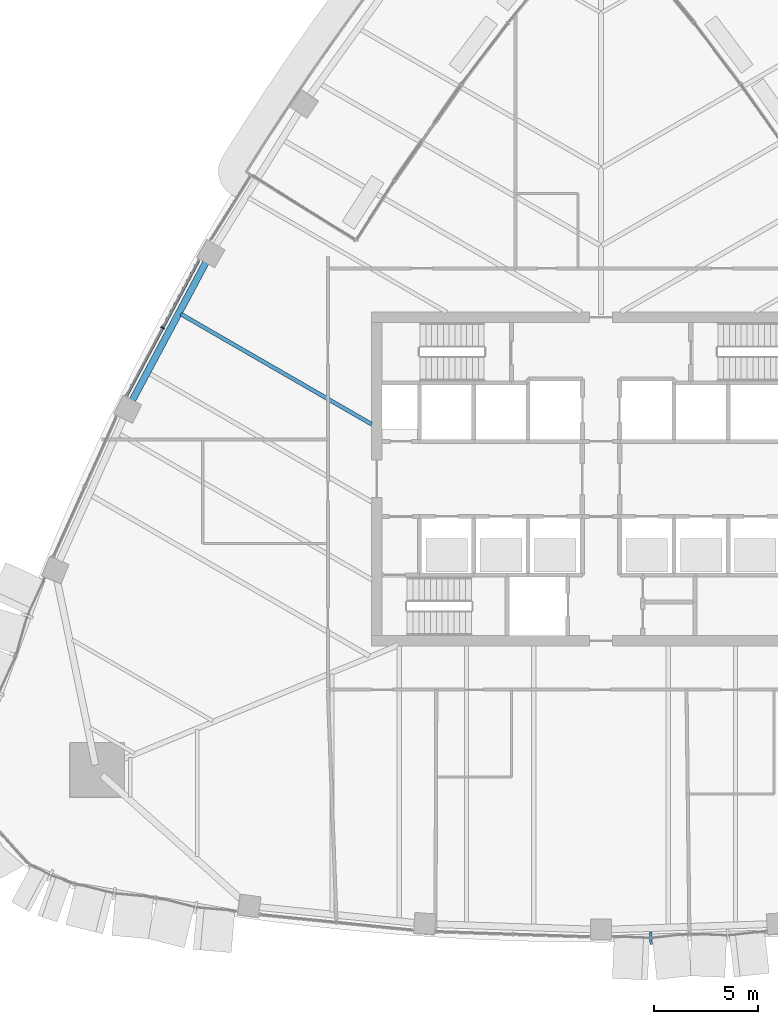
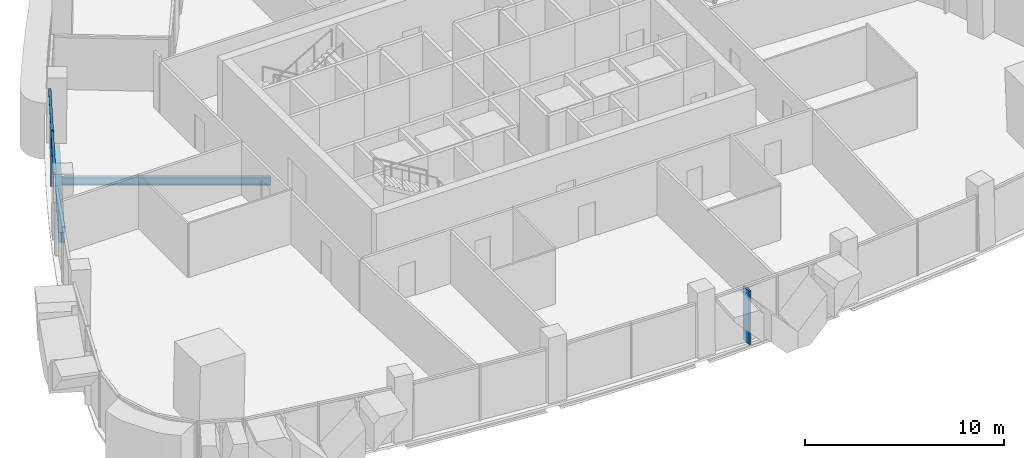
# One storey, part 3 of 21: 4 members, 2 beams, 2 elements without a shape of their own.
"""IFC4 building model written with IfcOpenShell, lengths in metres."""

import ifcopenshell
import ifcopenshell.guid

model = None  # the IFC model being written
_history = None  # IfcOwnerHistory: only IFC2X3 demands one
_inside = {}  # id of a spatial element -> (the spatial element, [elements in it])
_under = {}  # id of a project, library or spatial element -> (it, [spatial elements below it])
_declared = {}  # id of a project -> (the project, [libraries it declares])
_typed = {}  # id of a type object -> (the type object, [elements of that type])
_made_of = {}  # id of a material, layer set ... -> (it, [elements and type objects made of it])


def new_model(schema):
    """Start an empty IFC model of exactly this schema.

    Asked for "IFC4X3", IfcOpenShell would pick the latest addendum, in which some entities
    have other attributes; the version numbers below select the first issue.
    IFC2X3 requires an IfcOwnerHistory on every rooted entity: one is made here for all.
    """
    global model, _history
    if schema == "IFC4X3":
        model = ifcopenshell.file(schema_version=(4, 3, 0, 0))
    else:
        model = ifcopenshell.file(schema=schema)
    _inside.clear()
    _under.clear()
    _declared.clear()
    _typed.clear()
    _made_of.clear()
    _history = None
    if model.schema == "IFC2X3":
        org = make("IfcOrganization", Name="unknown")
        user = make(
            "IfcPersonAndOrganization",
            ThePerson=make("IfcPerson", FamilyName="unknown"),
            TheOrganization=org,
        )
        app = make(
            "IfcApplication",
            ApplicationDeveloper=org,
            Version="unknown",
            ApplicationFullName="unknown",
            ApplicationIdentifier="unknown",
        )
        _history = make(
            "IfcOwnerHistory",
            OwningUser=user,
            OwningApplication=app,
            ChangeAction="ADDED",
            CreationDate=0,
        )
    return model


def make(cls, **values):
    """One entity of the class cls with the attributes given. An attribute that is None is left unset."""
    return model.create_entity(
        cls, **{name: value for name, value in values.items() if value is not None}
    )


def rooted(cls, **values):
    """An entity with a GlobalId (a new one), such as an element, a storey or a relation."""
    return make(cls, GlobalId=ifcopenshell.guid.new(), OwnerHistory=_history, **values)


def si_unit(unit_type, name, prefix=None):
    """IfcSIUnit, for example si_unit("LENGTHUNIT", "METRE", prefix="MILLI")."""
    return make("IfcSIUnit", UnitType=unit_type, Prefix=prefix, Name=name)


def assignment(units):
    """IfcUnitAssignment: the units of a project."""
    return None if units is None else make("IfcUnitAssignment", Units=units)


def point(xyz):
    """IfcCartesianPoint."""
    return None if xyz is None else make("IfcCartesianPoint", Coordinates=xyz)


def direction(xyz):
    """IfcDirection."""
    return None if xyz is None else make("IfcDirection", DirectionRatios=xyz)


def frame(location, z_axis=None, x_axis=None):
    """IfcAxis2Placement3D, a coordinate frame: its origin and axes. An axis left out is left unset."""
    return make(
        "IfcAxis2Placement3D",
        Location=point(location),
        Axis=direction(z_axis),
        RefDirection=direction(x_axis),
    )


def frame_2d(location, x_axis=None):
    """IfcAxis2Placement2D, a coordinate frame in the plane: its origin and x axis."""
    return make(
        "IfcAxis2Placement2D", Location=point(location), RefDirection=direction(x_axis)
    )


def origin():
    """The frame at (0, 0, 0) with its axes left unset."""
    return frame((0.0, 0.0, 0.0))


def origin_2d():
    """The frame at (0, 0) in the plane with its x axis left unset."""
    return frame_2d((0.0, 0.0))


def place(relative_to, where):
    """IfcLocalPlacement: puts the frame where relative to a parent placement (None: the world)."""
    return make(
        "IfcLocalPlacement", PlacementRelTo=relative_to, RelativePlacement=where
    )


def context(
    kind, dimensions, precision=None, world=None, true_north=None, identifier=None
):
    """IfcGeometricRepresentationContext, for example the 3D "Model" context."""
    return make(
        "IfcGeometricRepresentationContext",
        ContextIdentifier=identifier,
        ContextType=kind,
        CoordinateSpaceDimension=dimensions,
        Precision=precision,
        WorldCoordinateSystem=world,
        TrueNorth=true_north,
    )


def subcontext(parent, identifier, kind, view, scale=None):
    """IfcGeometricRepresentationSubContext, for example "Body" below "Model"."""
    return make(
        "IfcGeometricRepresentationSubContext",
        ContextIdentifier=identifier,
        ContextType=kind,
        ParentContext=parent,
        TargetScale=scale,
        TargetView=view,
    )


def project(units=None, contexts=None):
    """IfcProject with its units and contexts."""
    return rooted(
        "IfcProject",
        Name="project",
        RepresentationContexts=contexts,
        UnitsInContext=assignment(units),
    )


def spatial(cls, under=None, at=None, **own):
    """A site, building, storey or space (cls), placed at a placement, below another one or the project."""
    s = rooted(cls, ObjectPlacement=at, **own)
    if under is not None:
        _under.setdefault(under.id(), (under, []))[1].append(s)
    return s


def profile(cls, at=None, kind="AREA", **sizes):
    """A parametric profile (cls). Its sizes go by their IFC names, for example OverallWidth=200.0."""
    return make(cls, ProfileType=kind, Position=at, **sizes)


def rectangle(**sizes):
    """IfcRectangleProfileDef."""
    return profile("IfcRectangleProfileDef", **sizes)


def i_section(**sizes):
    """IfcIShapeProfileDef."""
    return profile("IfcIShapeProfileDef", **sizes)


def extrude(swept, where, along, depth):
    """IfcExtrudedAreaSolid: the profile swept, set in the frame where, extruded along a direction by depth."""
    return make(
        "IfcExtrudedAreaSolid",
        SweptArea=swept,
        Position=where,
        ExtrudedDirection=direction(along),
        Depth=depth,
    )


def shape(context_of_items, identifier, shape_type, items):
    """IfcShapeRepresentation: the items that make up one representation, for example the "Body"."""
    return make(
        "IfcShapeRepresentation",
        ContextOfItems=context_of_items,
        RepresentationIdentifier=identifier,
        RepresentationType=shape_type,
        Items=items,
    )


def material(Name=None, Category=None):
    """IfcMaterial."""
    return make("IfcMaterial", Name=Name, Category=Category)


def layer(
    of_material, thickness, ventilated=None, Name=None, Category=None, Priority=None
):
    """IfcMaterialLayer: one layer of a wall or slab, of a material (None: an air gap)."""
    return make(
        "IfcMaterialLayer",
        Material=of_material,
        LayerThickness=thickness,
        IsVentilated=ventilated,
        Name=Name,
        Category=Category,
        Priority=Priority,
    )


def layer_set(layers, Name=None):
    """IfcMaterialLayerSet."""
    return make("IfcMaterialLayerSet", MaterialLayers=layers, LayerSetName=Name)


def material_profile(
    of_material, cross_section, Name=None, Category=None, Priority=None
):
    """IfcMaterialProfile: a cross section and its material."""
    return make(
        "IfcMaterialProfile",
        Name=Name,
        Material=of_material,
        Profile=cross_section,
        Priority=Priority,
        Category=Category,
    )


def profile_set(profiles, Name=None, composite=None):
    """IfcMaterialProfileSet."""
    return make(
        "IfcMaterialProfileSet",
        Name=Name,
        MaterialProfiles=profiles,
        CompositeProfile=composite,
    )


def made_of(thing, what):
    """Note that an element or type object is made of a material, layer set ...; save() writes the relation."""
    if what is not None:
        _made_of.setdefault(what.id(), (what, []))[1].append(thing)
    return thing


def type_object(cls, material=None, **own):
    """A type object (cls), such as IfcWallType, which elements share."""
    return made_of(rooted(cls, **own), material)


def element(
    cls,
    number,
    at=None,
    inside=None,
    cuts=None,
    type_object=None,
    material=None,
    context=None,
    identifier="Body",
    shape_type=None,
    held_by="IfcProductDefinitionShape",
    body=None,
    shapes=None,
    **own,
):
    """One element of the class cls, such as IfcWall. Its Tag is "e" and its number.

    at: its placement. inside: the storey or other place that contains it. cuts: it is an
    opening in that element (IfcRelVoidsElement). A single representation is given by context,
    identifier, shape_type and body (its items); several are given by shapes. held_by: the class
    of the entity that holds the representations. save() writes the other relations.
    """
    e = rooted(cls, Tag="e%d" % number, ObjectPlacement=at, **own)
    if body is not None:
        shapes = [shape(context, identifier, shape_type, body)]
    if shapes is not None:
        e.Representation = make(held_by, Representations=shapes)
    if inside is not None:
        _inside.setdefault(inside.id(), (inside, []))[1].append(e)
    if cuts is not None:
        rooted(
            "IfcRelVoidsElement", RelatingBuildingElement=cuts, RelatedOpeningElement=e
        )
    if type_object is not None:
        _typed.setdefault(type_object.id(), (type_object, []))[1].append(e)
    return made_of(e, material)


def aggregate(whole, parts):
    """IfcRelAggregates: a whole, such as a stair, and the parts it consists of."""
    return rooted("IfcRelAggregates", RelatingObject=whole, RelatedObjects=parts)


def save(model, path):
    """Write the relations noted so far, then the file.

    IfcRelAggregates (storeys below a building ...), IfcRelContainedInSpatialStructure (elements
    in a storey), IfcRelDefinesByType, IfcRelAssociatesMaterial and IfcRelDeclares: one each for
    every whole, place, type object, material and project.
    """
    for whole, parts in _under.values():
        aggregate(whole, parts)
    for where, things in _inside.values():
        rooted(
            "IfcRelContainedInSpatialStructure",
            RelatedElements=things,
            RelatingStructure=where,
        )
    for kind, things in _typed.values():
        rooted("IfcRelDefinesByType", RelatedObjects=things, RelatingType=kind)
    for what, things in _made_of.values():
        rooted("IfcRelAssociatesMaterial", RelatedObjects=things, RelatingMaterial=what)
    for by, libraries in _declared.values():
        rooted("IfcRelDeclares", RelatingContext=by, RelatedDefinitions=libraries)
    model.write(path)


model = new_model("IFC4")

# Units and contexts
model_context = context("Model", 3, precision=1e-05, world=origin(), true_north=direction((0.0, 1.0)))
body_context = subcontext(model_context, "Body", "Model", "MODEL_VIEW")
ifc_project = project(units=[si_unit("LENGTHUNIT", "METRE"), si_unit("AREAUNIT", "SQUARE_METRE"), si_unit("VOLUMEUNIT", "CUBIC_METRE"), si_unit("PLANEANGLEUNIT", "RADIAN"), si_unit("MASSUNIT", "GRAM", prefix="KILO")], contexts=[model_context])

# Site, building, storey
site_placement = place(None, origin())
site = spatial("IfcSite", under=ifc_project, at=site_placement, CompositionType="ELEMENT")
building_placement = place(site_placement, origin())
building = spatial("IfcBuilding", under=site, at=building_placement, Name="Sierra Prisma Convention Tower", CompositionType="ELEMENT")
storey_placement = place(building_placement, frame((0.0, 0.0, 157.800048828125)))
storey = spatial("IfcBuildingStorey", under=building, at=storey_placement, Name="L34", CompositionType="ELEMENT", Elevation=157.800048828125)

# Curtain wall, member
ifc_material_1 = material(Name="Aluminium and glass curtain wall", Category="aluminium")
ifc_layer_1 = layer(ifc_material_1, 0.179931640625)
ifc_layer_set_1 = layer_set([ifc_layer_1], Name="CW-2 Faceted crystal curtain wall")
curtain_wall_type_1 = type_object("IfcCurtainWallType", Name="CW-2 Faceted crystal curtain wall", PredefinedType="NOTDEFINED", material=ifc_layer_set_1)
curtain_wall_1_placement = place(storey_placement, origin())
curtain_wall_1 = element("IfcCurtainWall", 1, at=curtain_wall_1_placement, inside=storey, type_object=curtain_wall_type_1, Name="CW-2 S4 L34", PredefinedType="NOTDEFINED")
ifc_material_2 = material(Name="Aluminium 6063-T6 bronze anodised", Category="aluminium")
ifc_material_profile_1 = material_profile(ifc_material_2, rectangle(XDim=0.1201171875, YDim=0.60009765625, at=origin_2d()), Name="ALU RIDGE BLADE 120x600")
ifc_profile_set_1 = profile_set([ifc_material_profile_1], Name="Aluminium 6063-T6 bronze anodised")
member_type_1 = type_object("IfcMemberType", Name="CW hip bronze", PredefinedType="MULLION", material=ifc_profile_set_1)
member_1_placement = place(storey_placement, frame((2.390869140625, -22.03271484375, 0.0), z_axis=(0.0, 0.0, 1.0), x_axis=(0.999434157235, 0.033635774868, 0.0)))
member_1 = element("IfcMember", 2, at=member_1_placement, type_object=member_type_1, Name="CW-2 ridge S4.1", PredefinedType="MULLION", context=body_context, shape_type="SweptSolid", body=[
    extrude(rectangle(XDim=0.1201171875, YDim=0.60009765625, at=origin_2d()), origin(), (0.0, 0.0, 1.0), 3.280029296875),
])
aggregate(curtain_wall_1, [member_1])

# Curtain wall, members
ifc_material_3 = material(Name="Aluminium and glass curtain wall", Category="aluminium")
ifc_layer_2 = layer(ifc_material_3, 0.179931640625)
ifc_layer_set_2 = layer_set([ifc_layer_2], Name="CW-1 Plain shaft curtain wall")
curtain_wall_type_2 = type_object("IfcCurtainWallType", Name="CW-1 Plain shaft curtain wall", PredefinedType="NOTDEFINED", material=ifc_layer_set_2)
curtain_wall_2_placement = place(storey_placement, origin())
curtain_wall_2 = element("IfcCurtainWall", 3, at=curtain_wall_2_placement, inside=storey, type_object=curtain_wall_type_2, Name="CW-1 NW4 L34", PredefinedType="NOTDEFINED")
ifc_material_4 = material(Name="Aluminium 6063-T6 bronze anodised", Category="aluminium")
ifc_material_profile_2 = material_profile(ifc_material_4, rectangle(XDim=0.179931640625, YDim=0.070068359375, at=origin_2d()), Name="ALU MULLION 70x180")
ifc_profile_set_2 = profile_set([ifc_material_profile_2], Name="Aluminium 6063-T6 bronze anodised")
member_type_2 = type_object("IfcMemberType", Name="CW mullion bronze", PredefinedType="MULLION", material=ifc_profile_set_2)
member_2_placement = place(storey_placement, frame((-21.021728515625, 7.243896484375, 0.0), z_axis=(0.0, 0.0, 1.0), x_axis=(0.88235325701, -0.470587643106, 0.0)))
member_2 = element("IfcMember", 4, at=member_2_placement, type_object=member_type_2, Name="CW-1 mullion NW4.2", PredefinedType="MULLION", context=body_context, shape_type="SweptSolid", body=[
    extrude(rectangle(XDim=0.179931640625, YDim=0.070068359375, at=origin_2d()), origin(), (0.0, 0.0, 1.0), 3.39990234375),
])
ifc_material_5 = material(Name="Aluminium 6063-T6 bronze anodised", Category="aluminium")
ifc_material_profile_3 = material_profile(ifc_material_5, rectangle(XDim=0.139892578125, YDim=0.1201171875, at=origin_2d()), Name="ALU TRANSOM 120x140")
ifc_profile_set_3 = profile_set([ifc_material_profile_3], Name="Aluminium 6063-T6 bronze anodised")
member_type_3 = type_object("IfcMemberType", Name="CW transom bronze", PredefinedType="USERDEFINED", material=ifc_profile_set_3)
member_3_placement = place(storey_placement, frame((-19.294921875, 10.482177734375, 3.33984375), z_axis=(-0.470567318311, -0.882364096582, 0.0), x_axis=(0.882364096582, -0.470567318311, 0.0)))
member_3 = element("IfcMember", 5, at=member_3_placement, type_object=member_type_3, Name="CW-1 transom NW4.1", ObjectType="TRANSOM", PredefinedType="USERDEFINED", context=body_context, shape_type="SweptSolid", body=[
    extrude(rectangle(XDim=0.139892578125, YDim=0.1201171875, at=origin_2d()), origin(), (0.0, 0.0, 1.0), 3.634765625),
])
member_4_placement = place(storey_placement, frame((-21.038330078125, 7.213134765625, 3.33984375), z_axis=(-0.470567318311, -0.882364096582, 0.0), x_axis=(0.882364096582, -0.470567318311, 0.0)))
member_4 = element("IfcMember", 6, at=member_4_placement, type_object=member_type_3, Name="CW-1 transom NW4.2", ObjectType="TRANSOM", PredefinedType="USERDEFINED", context=body_context, shape_type="SweptSolid", body=[
    extrude(rectangle(XDim=0.139892578125, YDim=0.1201171875, at=origin_2d()), origin(), (0.0, 0.0, 1.0), 3.634765625),
])
aggregate(curtain_wall_2, [member_2, member_3, member_4])

# Beams
ifc_material_6 = material(Name="Steel ASTM A992 Gr 50", Category="steel")
ifc_material_profile_4 = material_profile(ifc_material_6, i_section(OverallWidth=0.18994140625, OverallDepth=0.45703125, WebThickness=0.009033203125, FlangeThickness=0.014404296875, at=origin_2d()), Name="W460x74")
ifc_profile_set_4 = profile_set([ifc_material_profile_4], Name="Steel ASTM A992 Gr 50")
beam_type_1 = type_object("IfcBeamType", Name="Floor joist W460x74", PredefinedType="JOIST", material=ifc_profile_set_4)
beam_1_placement = place(storey_placement, frame((-20.14501953125, 7.905517578125, -0.378662109375), z_axis=(0.866029271941, -0.499993300096, 0.0), x_axis=(0.499993300096, 0.866029271941, 0.0)))
element("IfcBeam", 7, at=beam_1_placement, inside=storey, type_object=beam_type_1, Name="Floor joist L34 NW09", PredefinedType="JOIST", context=body_context, shape_type="SweptSolid", body=[
    extrude(i_section(OverallWidth=0.18994140625, OverallDepth=0.45703125, WebThickness=0.009033203125, FlangeThickness=0.014404296875, at=origin_2d()), origin(), (0.0, 0.0, 1.0), 10.559814453125),
])
ifc_material_7 = material(Name="Steel ASTM A992 Gr 50", Category="steel")
ifc_material_profile_5 = material_profile(ifc_material_7, i_section(OverallWidth=0.324951171875, OverallDepth=0.615966796875, WebThickness=0.013916015625, FlangeThickness=0.021484375, at=origin_2d()), Name="W610x174")
ifc_profile_set_5 = profile_set([ifc_material_profile_5], Name="Steel ASTM A992 Gr 50")
beam_type_2 = type_object("IfcBeamType", Name="Spandrel beam W610x174", PredefinedType="BEAM", material=ifc_profile_set_5)
beam_2_placement = place(storey_placement, frame((-18.90234375, 10.474365234375, -0.4580078125), z_axis=(-0.470598098843, -0.882347680546, 0.0), x_axis=(0.882347680546, -0.470598098843, 0.0)))
element("IfcBeam", 8, at=beam_2_placement, inside=storey, type_object=beam_type_2, Name="Spandrel L34-16", PredefinedType="BEAM", context=body_context, shape_type="SweptSolid", body=[
    extrude(i_section(OverallWidth=0.324951171875, OverallDepth=0.615966796875, WebThickness=0.013916015625, FlangeThickness=0.021484375, at=origin_2d()), origin(), (0.0, 0.0, 1.0), 7.708251953125),
])

save(model, "model.ifc")
